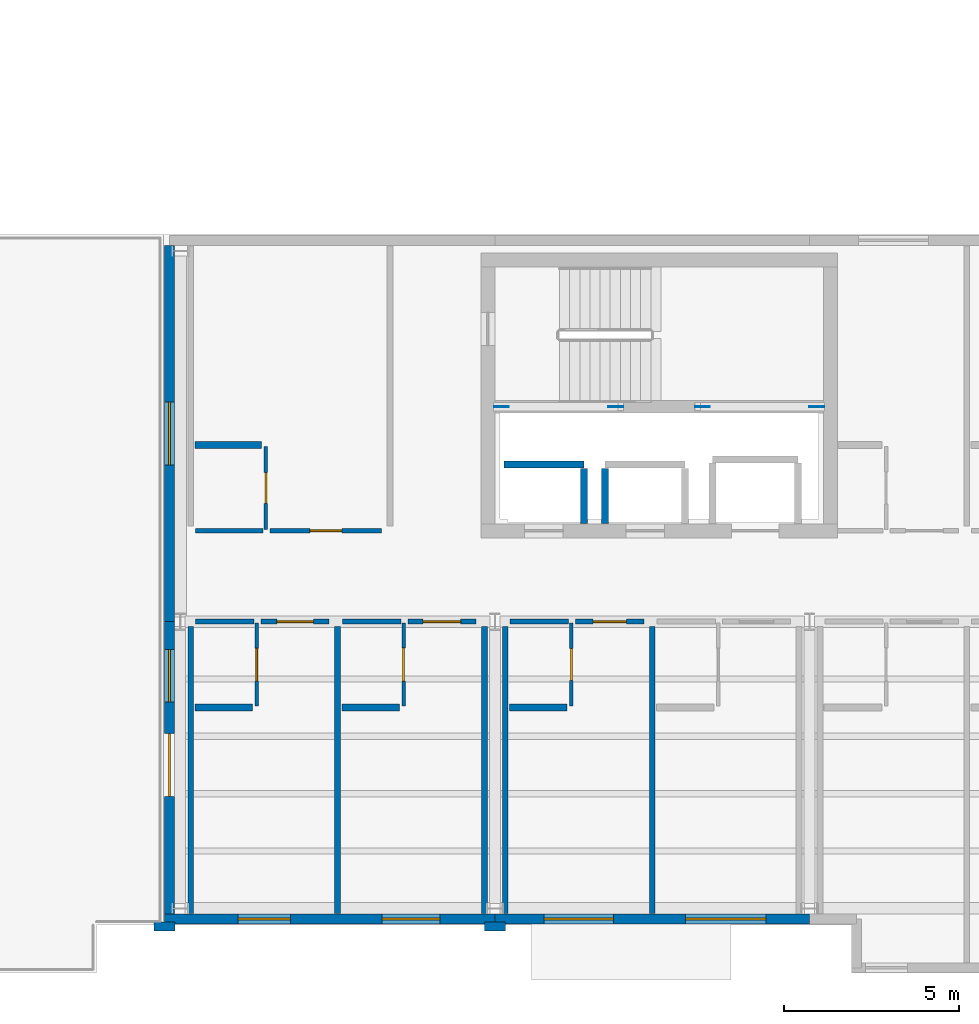
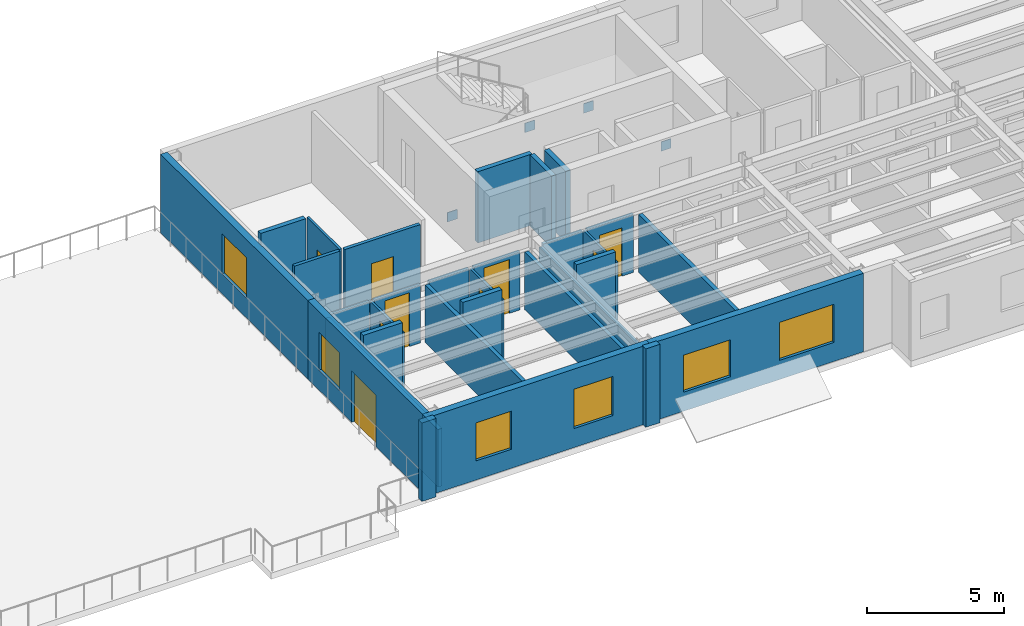
# One storey, part 5 of 17: 30 walls, 9 doors, 6 windows, 4 plates, 15 openings.
"""IFC4 building model written with IfcOpenShell, lengths in metres."""

from ifc_helpers import new_model, si_unit, direction, frame, frame_2d, origin, origin_2d, place, context, subcontext, project, spatial, rectangle, extrude, material, layer, layer_set, type_object, element, fill, save


model = new_model("IFC4")

# Units and contexts
model_context = context("Model", 3, precision=1e-05, world=origin(), true_north=direction((0.0, 1.0)))
body_context = subcontext(model_context, "Body", "Model", "MODEL_VIEW")
ifc_project = project(units=[si_unit("LENGTHUNIT", "METRE"), si_unit("AREAUNIT", "SQUARE_METRE"), si_unit("VOLUMEUNIT", "CUBIC_METRE"), si_unit("PLANEANGLEUNIT", "RADIAN"), si_unit("MASSUNIT", "GRAM", prefix="KILO")], contexts=[model_context])

# Site, building, storey
site_placement = place(None, origin())
site = spatial("IfcSite", under=ifc_project, at=site_placement, CompositionType="ELEMENT")
building_placement = place(site_placement, origin())
building = spatial("IfcBuilding", under=site, at=building_placement, Name="Sollismere Congress Hotel", CompositionType="ELEMENT")
storey_placement = place(building_placement, frame((0.0, 0.0, 41.10009765625)))
storey = spatial("IfcBuildingStorey", under=building, at=storey_placement, Name="L10", CompositionType="ELEMENT", Elevation=41.10009765625)

# Plates
ifc_material_1 = material(Name="Steel ASTM A572 Grade 50", Category="steel")
ifc_layer_1 = layer(ifc_material_1, 0.02490234375, Name="Steel ASTM A572 Grade 50")
ifc_layer_set_1 = layer_set([ifc_layer_1], Name="Steel ASTM A572 Grade 50")
plate_type = type_object("IfcPlateType", Name="PL-GS25", PredefinedType="USERDEFINED", material=ifc_layer_set_1)
for number, where, z_axis, x_axis, name in (
    (1, (94.18994140625, 14.35009765625, -0.030029296875), (0.0, 0.0, 1.0), (1.0, 0.0, 0.0), "PLT-GBF-BF-021-A"),
    (2, (97.4599609375, 14.35009765625, 2.81494140625), (0.0, 0.0, 1.0), (1.0, 0.0, 0.0), "PLT-GBF-BF-021-B"),
    (3, (103.2099609375, 14.35009765625, -0.030029296875), (0.0, 0.0, 1.0), (1.0, 0.0, 0.0), "PLT-GBF-BF-022-A"),
    (4, (99.93994140625, 14.35009765625, 2.81494140625), (0.0, 0.0, 1.0), (1.0, 0.0, 0.0), "PLT-GBF-BF-022-B"),
):
    element("IfcPlate", number, at=place(storey_placement, frame(where, z_axis=z_axis, x_axis=x_axis)), inside=storey, type_object=plate_type, Name=name, ObjectType="GUSSET PLATE", PredefinedType="USERDEFINED", context=body_context, shape_type="SweptSolid", body=[
        extrude(rectangle(XDim=0.419921875, YDim=0.02490234375, at=origin_2d()), origin(), (0.0, 0.0, 1.0), 0.419921875),
    ])

# Wall, openings, windows
ifc_material_2 = material(Name="Colorado Buff Sandstone Rainscreen on Insulated Backup", Category="masonry")
ifc_layer_2 = layer(ifc_material_2, 0.284912109375, Name="Colorado Buff Sandstone Rainscreen on Insulated Backup")
ifc_layer_set_2 = layer_set([ifc_layer_2], Name="Colorado Buff Sandstone Rainscreen on Insulated Backup")
wall_type_1 = type_object("IfcWallType", Name="WL-EXT285", PredefinedType="STANDARD", material=ifc_layer_set_2)
wall_1_placement = place(storey_placement, frame((84.550048828125, -0.31005859375, 0.0), z_axis=(0.0, 0.0, 1.0), x_axis=(1.0, 0.0, 0.0)))
wall_1 = element("IfcWall", 5, at=wall_1_placement, inside=storey, type_object=wall_type_1, Name="Exterior wall EW-L10-941", PredefinedType="STANDARD", context=body_context, shape_type="SweptSolid", body=[
    extrude(rectangle(XDim=9.449951171875, YDim=0.284912109375, at=frame_2d((4.72509765625, 0.0))), origin(), (0.0, 0.0, 1.0), 3.5),
])
opening_1_placement = place(wall_1_placement, frame((2.10009765625, 0.0, 0.85009765625)))
opening_1 = element("IfcOpeningElement", 6, at=opening_1_placement, cuts=wall_1, Name="Opening W-L10-674", PredefinedType="OPENING", context=body_context, shape_type="SweptSolid", body=[
    extrude(rectangle(XDim=1.5, YDim=1.699951171875, at=frame_2d((0.75, 0.85009765625))), frame((0.0, 0.15234375, 0.0), z_axis=(0.0, -1.0, 0.0), x_axis=(1.0, 0.0, 0.0)), (0.0, 0.0, 1.0), 0.304931640625),
])
opening_2_placement = place(wall_1_placement, frame((6.22509765625, 0.0, 0.85009765625)))
opening_2 = element("IfcOpeningElement", 7, at=opening_2_placement, cuts=wall_1, Name="Opening W-L10-675", PredefinedType="OPENING", context=body_context, shape_type="SweptSolid", body=[
    extrude(rectangle(XDim=1.64990234375, YDim=1.75, at=frame_2d((0.824951171875, 0.875))), frame((0.0, 0.15234375, 0.0), z_axis=(0.0, -1.0, 0.0), x_axis=(1.0, 0.0, 0.0)), (0.0, 0.0, 1.0), 0.304931640625),
])
ifc_material_3 = material(Name="Thermally Broken Bronze Aluminum & Low-E Glass", Category="aluminium")
window_type_1 = type_object("IfcWindowType", Name="WN-P150x170", PartitioningType="SINGLE_PANEL", PredefinedType="WINDOW", material=ifc_material_3)
window_1_placement = place(opening_1_placement, origin())
window_1 = element("IfcWindow", 8, at=window_1_placement, inside=storey, type_object=window_type_1, Name="WIN-W-L10-674", OverallHeight=1.699951171875, OverallWidth=1.5, PartitioningType="SINGLE_PANEL", PredefinedType="WINDOW", context=body_context, shape_type="SweptSolid", body=[
    extrude(rectangle(XDim=1.5, YDim=1.699951171875, at=frame_2d((0.75, 0.85009765625))), frame((0.0, 0.030029296875, 0.0), z_axis=(0.0, -1.0, 0.0), x_axis=(1.0, 0.0, 0.0)), (0.0, 0.0, 1.0), 0.06005859375),
])
fill(opening_1, window_1)
window_type_2 = type_object("IfcWindowType", Name="WN-P165x175", PartitioningType="SINGLE_PANEL", PredefinedType="WINDOW", material=ifc_material_3)
window_2_placement = place(opening_2_placement, origin())
window_2 = element("IfcWindow", 9, at=window_2_placement, inside=storey, type_object=window_type_2, Name="WIN-W-L10-675", OverallHeight=1.75, OverallWidth=1.64990234375, PartitioningType="SINGLE_PANEL", PredefinedType="WINDOW", context=body_context, shape_type="SweptSolid", body=[
    extrude(rectangle(XDim=1.64990234375, YDim=1.75, at=frame_2d((0.824951171875, 0.875))), frame((0.0, 0.030029296875, 0.0), z_axis=(0.0, -1.0, 0.0), x_axis=(1.0, 0.0, 0.0)), (0.0, 0.0, 1.0), 0.06005859375),
])
fill(opening_2, window_2)

wall_2_placement = place(storey_placement, frame((94.0, -0.31005859375, 0.0), z_axis=(0.0, 0.0, 1.0), x_axis=(1.0, 0.0, 0.0)))
wall_2 = element("IfcWall", 10, at=wall_2_placement, inside=storey, type_object=wall_type_1, Name="Exterior wall EW-L10-943", PredefinedType="STANDARD", context=body_context, shape_type="SweptSolid", body=[
    extrude(rectangle(XDim=9.0, YDim=0.284912109375, at=frame_2d((4.5, 0.0))), origin(), (0.0, 0.0, 1.0), 3.5),
])
opening_3_placement = place(wall_2_placement, frame((1.39990234375, 0.0, 0.85009765625)))
opening_3 = element("IfcOpeningElement", 11, at=opening_3_placement, cuts=wall_2, Name="Opening W-L10-676", PredefinedType="OPENING", context=body_context, shape_type="SweptSolid", body=[
    extrude(rectangle(XDim=2.0, YDim=1.64990234375, at=frame_2d((1.0, 0.824951171875))), frame((0.0, 0.15234375, 0.0), z_axis=(0.0, -1.0, 0.0), x_axis=(1.0, 0.0, 0.0)), (0.0, 0.0, 1.0), 0.304931640625),
])
opening_4_placement = place(wall_2_placement, frame((5.449951171875, 0.0, 0.85009765625)))
opening_4 = element("IfcOpeningElement", 12, at=opening_4_placement, cuts=wall_2, Name="Opening W-L10-677", PredefinedType="OPENING", context=body_context, shape_type="SweptSolid", body=[
    extrude(rectangle(XDim=2.300048828125, YDim=1.699951171875, at=frame_2d((1.14990234375, 0.85009765625))), frame((0.0, 0.15234375, 0.0), z_axis=(0.0, -1.0, 0.0), x_axis=(1.0, 0.0, 0.0)), (0.0, 0.0, 1.0), 0.304931640625),
])
window_type_3 = type_object("IfcWindowType", Name="WN-P200x165", PartitioningType="SINGLE_PANEL", PredefinedType="WINDOW", material=ifc_material_3)
window_3_placement = place(opening_3_placement, origin())
window_3 = element("IfcWindow", 13, at=window_3_placement, inside=storey, type_object=window_type_3, Name="WIN-W-L10-676", OverallHeight=1.64990234375, OverallWidth=2.0, PartitioningType="SINGLE_PANEL", PredefinedType="WINDOW", context=body_context, shape_type="SweptSolid", body=[
    extrude(rectangle(XDim=2.0, YDim=1.64990234375, at=frame_2d((1.0, 0.824951171875))), frame((0.0, 0.030029296875, 0.0), z_axis=(0.0, -1.0, 0.0), x_axis=(1.0, 0.0, 0.0)), (0.0, 0.0, 1.0), 0.06005859375),
])
fill(opening_3, window_3)
window_type_4 = type_object("IfcWindowType", Name="WN-P230x170", PartitioningType="SINGLE_PANEL", PredefinedType="WINDOW", material=ifc_material_3)
window_4_placement = place(opening_4_placement, origin())
window_4 = element("IfcWindow", 14, at=window_4_placement, inside=storey, type_object=window_type_4, Name="WIN-W-L10-677", OverallHeight=1.699951171875, OverallWidth=2.300048828125, PartitioningType="SINGLE_PANEL", PredefinedType="WINDOW", context=body_context, shape_type="SweptSolid", body=[
    extrude(rectangle(XDim=2.300048828125, YDim=1.699951171875, at=frame_2d((1.14990234375, 0.85009765625))), frame((0.0, 0.030029296875, 0.0), z_axis=(0.0, -1.0, 0.0), x_axis=(1.0, 0.0, 0.0)), (0.0, 0.0, 1.0), 0.06005859375),
])
fill(opening_4, window_4)

# Wall, openings, door, window
wall_3_placement = place(storey_placement, frame((84.68994140625, 8.199951171875, 0.0), z_axis=(0.0, 0.0, 1.0), x_axis=(0.0, -1.0, 0.0)))
wall_3 = element("IfcWall", 15, at=wall_3_placement, inside=storey, type_object=wall_type_1, Name="Exterior wall EW-L10-994", PredefinedType="STANDARD", context=body_context, shape_type="SweptSolid", body=[
    extrude(rectangle(XDim=8.365478515625, YDim=0.284912109375, at=frame_2d((4.1826171875, 0.0))), origin(), (0.0, 0.0, 1.0), 3.5),
])
opening_5_placement = place(wall_3_placement, frame((3.199951171875, 0.0, 0.0)))
opening_5 = element("IfcOpeningElement", 16, at=opening_5_placement, cuts=wall_3, Name="Opening D-L10-TRS", PredefinedType="OPENING", context=body_context, shape_type="SweptSolid", body=[
    extrude(rectangle(XDim=1.800048828125, YDim=2.300048828125, at=frame_2d((0.89990234375, 1.14990234375))), frame((0.0, 0.15234375, 0.0), z_axis=(0.0, -1.0, 0.0), x_axis=(1.0, 0.0, 0.0)), (0.0, 0.0, 1.0), 0.304931640625),
])
opening_6_placement = place(wall_3_placement, frame((0.800048828125, 0.0, 0.8798828125)))
opening_6 = element("IfcOpeningElement", 17, at=opening_6_placement, cuts=wall_3, Name="Opening W-L10-708", PredefinedType="OPENING", context=body_context, shape_type="SweptSolid", body=[
    extrude(rectangle(XDim=1.5, YDim=1.699951171875, at=frame_2d((0.75, 0.85009765625))), frame((0.0, 0.15234375, 0.0), z_axis=(0.0, -1.0, 0.0), x_axis=(1.0, 0.0, 0.0)), (0.0, 0.0, 1.0), 0.304931640625),
])
ifc_material_4 = material(Name="Thermally Broken Bronze-Anodized Aluminum & Laminated Glass", Category="aluminium")
door_type_1 = type_object("IfcDoorType", Name="DR-EX180", OperationType="DOUBLE_DOOR_SINGLE_SWING", PredefinedType="DOOR", material=ifc_material_4)
door_1_placement = place(opening_5_placement, frame((1.800048828125, 0.0, 0.0), z_axis=(0.0, 0.0, 1.0), x_axis=(-1.0, 0.0, 0.0)))
door_1 = element("IfcDoor", 18, at=door_1_placement, inside=storey, type_object=door_type_1, Name="DOR-D-L10-TRS", OperationType="DOUBLE_DOOR_SINGLE_SWING", OverallHeight=2.300048828125, OverallWidth=1.800048828125, PredefinedType="DOOR", context=body_context, shape_type="SweptSolid", body=[
    extrude(rectangle(XDim=1.800048828125, YDim=2.300048828125, at=frame_2d((0.89990234375, 1.14990234375))), frame((0.0, 0.02490234375, 0.0), z_axis=(0.0, -1.0, 0.0), x_axis=(1.0, 0.0, 0.0)), (0.0, 0.0, 1.0), 0.050048828125),
])
fill(opening_5, door_1)
window_5_placement = place(opening_6_placement, origin())
window_5 = element("IfcWindow", 19, at=window_5_placement, inside=storey, type_object=window_type_1, Name="WIN-W-L10-708", OverallHeight=1.699951171875, OverallWidth=1.5, PartitioningType="SINGLE_PANEL", PredefinedType="WINDOW", context=body_context, shape_type="SweptSolid", body=[
    extrude(rectangle(XDim=1.5, YDim=1.699951171875, at=frame_2d((0.75, 0.85009765625))), frame((0.0, 0.030029296875, 0.0), z_axis=(0.0, -1.0, 0.0), x_axis=(1.0, 0.0, 0.0)), (0.0, 0.0, 1.0), 0.06005859375),
])
fill(opening_6, window_5)

# Wall, opening, window
wall_4_placement = place(storey_placement, frame((84.68994140625, 18.965576171875, 0.0), z_axis=(0.0, 0.0, 1.0), x_axis=(0.0, -1.0, 0.0)))
wall_4 = element("IfcWall", 20, at=wall_4_placement, inside=storey, type_object=wall_type_1, Name="Exterior wall EW-L10-995", PredefinedType="STANDARD", context=body_context, shape_type="SweptSolid", body=[
    extrude(rectangle(XDim=10.765625, YDim=0.284912109375, at=frame_2d((5.3828125, 0.0))), origin(), (0.0, 0.0, 1.0), 3.5),
])
opening_7_placement = place(wall_4_placement, frame((4.482666015625, 0.0, 0.8798828125)))
opening_7 = element("IfcOpeningElement", 21, at=opening_7_placement, cuts=wall_4, Name="Opening W-L10-709", PredefinedType="OPENING", context=body_context, shape_type="SweptSolid", body=[
    extrude(rectangle(XDim=1.800048828125, YDim=1.800048828125, at=frame_2d((0.89990234375, 0.89990234375))), frame((0.0, 0.15234375, 0.0), z_axis=(0.0, -1.0, 0.0), x_axis=(1.0, 0.0, 0.0)), (0.0, 0.0, 1.0), 0.304931640625),
])
window_type_5 = type_object("IfcWindowType", Name="WN-P180x180", PartitioningType="SINGLE_PANEL", PredefinedType="WINDOW", material=ifc_material_3)
window_6_placement = place(opening_7_placement, origin())
window_6 = element("IfcWindow", 22, at=window_6_placement, inside=storey, type_object=window_type_5, Name="WIN-W-L10-709", OverallHeight=1.800048828125, OverallWidth=1.800048828125, PartitioningType="SINGLE_PANEL", PredefinedType="WINDOW", context=body_context, shape_type="SweptSolid", body=[
    extrude(rectangle(XDim=1.800048828125, YDim=1.800048828125, at=frame_2d((0.89990234375, 0.89990234375))), frame((0.0, 0.030029296875, 0.0), z_axis=(0.0, -1.0, 0.0), x_axis=(1.0, 0.0, 0.0)), (0.0, 0.0, 1.0), 0.06005859375),
])
fill(opening_7, window_6)

# Walls
ifc_material_5 = material(Name="Carved Travertine Pilaster & Frieze Assembly", Category="masonry")
ifc_layer_3 = layer(ifc_material_5, 0.260009765625, Name="Carved Travertine Pilaster & Frieze Assembly")
ifc_layer_set_3 = layer_set([ifc_layer_3], Name="Carved Travertine Pilaster & Frieze Assembly")
wall_type_2 = type_object("IfcWallType", Name="WL-PIL280", PredefinedType="ELEMENTEDWALL", material=ifc_layer_set_3)
for number, where, z_axis, x_axis, name in (
    (23, (84.25, -0.52001953125, 0.0), (0.0, 0.0, 1.0), (1.0, 0.0, 0.0), "Exterior wall EW-L10-942"),
    (24, (93.699951171875, -0.52001953125, 0.0), (0.0, 0.0, 1.0), (1.0, 0.0, 0.0), "Exterior wall EW-L10-944"),
):
    element("IfcWall", number, at=place(storey_placement, frame(where, z_axis=z_axis, x_axis=x_axis)), inside=storey, type_object=wall_type_2, Name=name, PredefinedType="ELEMENTEDWALL", context=body_context, shape_type="SweptSolid", body=[
        extrude(rectangle(XDim=0.60009765625, YDim=0.260009765625, at=frame_2d((0.300048828125, 0.0))), origin(), (0.0, 0.0, 1.0), 3.5),
    ])
ifc_material_6 = material(Name="Moisture-Resistant Shaft Gypsum Assembly")
ifc_layer_4 = layer(ifc_material_6, 0.199951171875, Name="Moisture-Resistant Shaft Gypsum Assembly")
ifc_layer_set_4 = layer_set([ifc_layer_4], Name="Moisture-Resistant Shaft Gypsum Assembly")
wall_type_3 = type_object("IfcWallType", Name="WL-PLM200", PredefinedType="PLUMBINGWALL", material=ifc_layer_set_4)
wall_5_placement = place(storey_placement, frame((94.2548828125, 12.68994140625, 0.0), z_axis=(0.0, 0.0, 1.0), x_axis=(1.0, 0.0, 0.0)))
element("IfcWall", 25, at=wall_5_placement, inside=storey, type_object=wall_type_3, Name="Interior wall IW-L10-0357", PredefinedType="PLUMBINGWALL", context=body_context, shape_type="SweptSolid", body=[
    extrude(rectangle(XDim=2.2900390625, YDim=0.199951171875, at=frame_2d((1.14501953125, 0.0))), origin(), (0.0, 0.0, 1.0), 3.179931640625),
])
for number, where, z_axis, x_axis, name in (
    (26, (96.544921875, 11.011962890625, 0.0), (0.0, 0.0, 1.0), (0.0, 1.0, 0.0), "Interior wall IW-L10-0358"),
    (27, (97.155029296875, 11.011962890625, 0.0), (0.0, 0.0, 1.0), (0.0, 1.0, 0.0), "Interior wall IW-L10-0360"),
):
    element("IfcWall", number, at=place(storey_placement, frame(where, z_axis=z_axis, x_axis=x_axis)), inside=storey, type_object=wall_type_3, Name=name, PredefinedType="PLUMBINGWALL", context=body_context, shape_type="SweptSolid", body=[
        extrude(rectangle(XDim=1.56591796875, YDim=0.199951171875, at=frame_2d((0.782958984375, 0.0))), origin(), (0.0, 0.0, 1.0), 3.179931640625),
    ])
wall_6_placement = place(storey_placement, frame((85.419921875, 5.75, 0.0), z_axis=(0.0, 0.0, 1.0), x_axis=(1.0, 0.0, 0.0)))
element("IfcWall", 28, at=wall_6_placement, inside=storey, type_object=wall_type_3, Name="Interior wall IW-L10-2734", PredefinedType="PLUMBINGWALL", context=body_context, shape_type="SweptSolid", body=[
    extrude(rectangle(XDim=1.650146484375, YDim=0.199951171875, at=frame_2d((0.8251953125, 0.0))), origin(), (0.0, 0.0, 1.0), 3.179931640625),
])
wall_7_placement = place(storey_placement, frame((89.6201171875, 5.75, 0.0), z_axis=(0.0, 0.0, 1.0), x_axis=(1.0, 0.0, 0.0)))
element("IfcWall", 29, at=wall_7_placement, inside=storey, type_object=wall_type_3, Name="Interior wall IW-L10-2739", PredefinedType="PLUMBINGWALL", context=body_context, shape_type="SweptSolid", body=[
    extrude(rectangle(XDim=1.64990234375, YDim=0.199951171875, at=frame_2d((0.824951171875, 0.0))), origin(), (0.0, 0.0, 1.0), 3.179931640625),
])
wall_8_placement = place(storey_placement, frame((85.419921875, 13.25, 0.0), z_axis=(0.0, 0.0, 1.0), x_axis=(1.0, 0.0, 0.0)))
element("IfcWall", 30, at=wall_8_placement, inside=storey, type_object=wall_type_3, Name="Interior wall IW-L10-2745", PredefinedType="PLUMBINGWALL", context=body_context, shape_type="SweptSolid", body=[
    extrude(rectangle(XDim=1.91015625, YDim=0.199951171875, at=frame_2d((0.955078125, 0.0))), origin(), (0.0, 0.0, 1.0), 3.179931640625),
])
wall_9_placement = place(storey_placement, frame((94.419921875, 5.75, 0.0), z_axis=(0.0, 0.0, 1.0), x_axis=(1.0, 0.0, 0.0)))
element("IfcWall", 31, at=wall_9_placement, inside=storey, type_object=wall_type_3, Name="Interior wall IW-L10-2751", PredefinedType="PLUMBINGWALL", context=body_context, shape_type="SweptSolid", body=[
    extrude(rectangle(XDim=1.650146484375, YDim=0.199951171875, at=frame_2d((0.8251953125, 0.0))), origin(), (0.0, 0.0, 1.0), 3.179931640625),
])

# Wall, opening, door
ifc_material_7 = material(Name="Moisture-Resistant Gypsum Partition")
ifc_layer_5 = layer(ifc_material_7, 0.10009765625, Name="Moisture-Resistant Gypsum Partition")
ifc_layer_set_5 = layer_set([ifc_layer_5], Name="Moisture-Resistant Gypsum Partition")
wall_type_4 = type_object("IfcWallType", Name="WL-PRT100", PredefinedType="PARTITIONING", material=ifc_layer_set_5)
wall_10_placement = place(storey_placement, frame((87.18994140625, 5.7900390625, 0.0), z_axis=(0.0, 0.0, 1.0), x_axis=(0.0, 1.0, 0.0)))
wall_10 = element("IfcWall", 32, at=wall_10_placement, inside=storey, type_object=wall_type_4, Name="Interior wall IW-L10-2733", PredefinedType="PARTITIONING", context=body_context, shape_type="SweptSolid", body=[
    extrude(rectangle(XDim=2.369873046875, YDim=0.10009765625, at=frame_2d((1.18505859375, 0.0))), origin(), (0.0, 0.0, 1.0), 2.593017578125),
])
opening_8_placement = place(wall_10_placement, frame((0.719970703125, 0.0, 0.0)))
opening_8 = element("IfcOpeningElement", 33, at=opening_8_placement, cuts=wall_10, Name="Opening D-L10-0965", PredefinedType="OPENING", context=body_context, shape_type="SweptSolid", body=[
    extrude(rectangle(XDim=0.929931640625, YDim=2.139892578125, at=frame_2d((0.46484375, 1.06982421875))), frame((0.0, 0.06005859375, 0.0), z_axis=(0.0, -1.0, 0.0), x_axis=(1.0, 0.0, 0.0)), (0.0, 0.0, 1.0), 0.1201171875),
])
ifc_material_8 = material(Name="Moisture-Sealed Timber Bathroom Door", Category="wood")
door_type_2 = type_object("IfcDoorType", Name="DR-BT03", OperationType="NOTDEFINED", PredefinedType="DOOR", material=ifc_material_8)
door_2_placement = place(opening_8_placement, origin())
door_2 = element("IfcDoor", 34, at=door_2_placement, inside=storey, type_object=door_type_2, Name="En-suite bathroom door D-L10-0965", OperationType="SINGLE_SWING_RIGHT", OverallHeight=2.139892578125, OverallWidth=0.929931640625, PredefinedType="DOOR", context=body_context, shape_type="SweptSolid", body=[
    extrude(rectangle(XDim=0.929931640625, YDim=2.139892578125, at=frame_2d((0.46484375, 1.06982421875))), frame((0.0, 0.02490234375, 0.0), z_axis=(0.0, -1.0, 0.0), x_axis=(1.0, 0.0, 0.0)), (0.0, 0.0, 1.0), 0.050048828125),
])
fill(opening_8, door_2)

wall_11_placement = place(storey_placement, frame((91.389892578125, 5.7900390625, 0.0), z_axis=(0.0, 0.0, 1.0), x_axis=(0.0, 1.0, 0.0)))
wall_11 = element("IfcWall", 35, at=wall_11_placement, inside=storey, type_object=wall_type_4, Name="Interior wall IW-L10-2738", PredefinedType="PARTITIONING", context=body_context, shape_type="SweptSolid", body=[
    extrude(rectangle(XDim=2.369873046875, YDim=0.10009765625, at=frame_2d((1.18505859375, 0.0))), origin(), (0.0, 0.0, 1.0), 2.593017578125),
])
opening_9_placement = place(wall_11_placement, frame((0.7080078125, 0.0, 0.0)))
opening_9 = element("IfcOpeningElement", 36, at=opening_9_placement, cuts=wall_11, Name="Opening D-L10-0967", PredefinedType="OPENING", context=body_context, shape_type="SweptSolid", body=[
    extrude(rectangle(XDim=0.955078125, YDim=2.139892578125, at=frame_2d((0.4775390625, 1.06982421875))), frame((0.0, 0.06005859375, 0.0), z_axis=(0.0, -1.0, 0.0), x_axis=(1.0, 0.0, 0.0)), (0.0, 0.0, 1.0), 0.1201171875),
])
door_type_3 = type_object("IfcDoorType", Name="DR-BT04", OperationType="NOTDEFINED", PredefinedType="DOOR", material=ifc_material_8)
door_3_placement = place(opening_9_placement, origin())
door_3 = element("IfcDoor", 37, at=door_3_placement, inside=storey, type_object=door_type_3, Name="En-suite bathroom door D-L10-0967", OperationType="SINGLE_SWING_RIGHT", OverallHeight=2.139892578125, OverallWidth=0.955078125, PredefinedType="DOOR", context=body_context, shape_type="SweptSolid", body=[
    extrude(rectangle(XDim=0.955078125, YDim=2.139892578125, at=frame_2d((0.4775390625, 1.06982421875))), frame((0.0, 0.02490234375, 0.0), z_axis=(0.0, -1.0, 0.0), x_axis=(1.0, 0.0, 0.0)), (0.0, 0.0, 1.0), 0.050048828125),
])
fill(opening_9, door_3)

wall_12_placement = place(storey_placement, frame((87.449951171875, 10.840087890625, 0.0), z_axis=(0.0, 0.0, 1.0), x_axis=(0.0, 1.0, 0.0)))
wall_12 = element("IfcWall", 38, at=wall_12_placement, inside=storey, type_object=wall_type_4, Name="Interior wall IW-L10-2744", PredefinedType="PARTITIONING", context=body_context, shape_type="SweptSolid", body=[
    extrude(rectangle(XDim=2.369873046875, YDim=0.10009765625, at=frame_2d((1.18505859375, 0.0))), origin(), (0.0, 0.0, 1.0), 3.179931640625),
])
opening_10_placement = place(wall_12_placement, frame((0.7451171875, 0.0, 0.0)))
opening_10 = element("IfcOpeningElement", 39, at=opening_10_placement, cuts=wall_12, Name="Opening D-L10-0969", PredefinedType="OPENING", context=body_context, shape_type="SweptSolid", body=[
    extrude(rectangle(XDim=0.8798828125, YDim=2.179931640625, at=frame_2d((0.43994140625, 1.08984375))), frame((0.0, 0.06005859375, 0.0), z_axis=(0.0, -1.0, 0.0), x_axis=(1.0, 0.0, 0.0)), (0.0, 0.0, 1.0), 0.1201171875),
])
door_type_4 = type_object("IfcDoorType", Name="DR-BT05", OperationType="NOTDEFINED", PredefinedType="DOOR", material=ifc_material_8)
door_4_placement = place(opening_10_placement, origin())
door_4 = element("IfcDoor", 40, at=door_4_placement, inside=storey, type_object=door_type_4, Name="En-suite bathroom door D-L10-0969", OperationType="SINGLE_SWING_RIGHT", OverallHeight=2.179931640625, OverallWidth=0.8798828125, PredefinedType="DOOR", context=body_context, shape_type="SweptSolid", body=[
    extrude(rectangle(XDim=0.8798828125, YDim=2.179931640625, at=frame_2d((0.43994140625, 1.08984375))), frame((0.0, 0.02490234375, 0.0), z_axis=(0.0, -1.0, 0.0), x_axis=(1.0, 0.0, 0.0)), (0.0, 0.0, 1.0), 0.050048828125),
])
fill(opening_10, door_4)

wall_13_placement = place(storey_placement, frame((96.18994140625, 5.7900390625, 0.0), z_axis=(0.0, 0.0, 1.0), x_axis=(0.0, 1.0, 0.0)))
wall_13 = element("IfcWall", 41, at=wall_13_placement, inside=storey, type_object=wall_type_4, Name="Interior wall IW-L10-2750", PredefinedType="PARTITIONING", context=body_context, shape_type="SweptSolid", body=[
    extrude(rectangle(XDim=2.369873046875, YDim=0.10009765625, at=frame_2d((1.18505859375, 0.0))), origin(), (0.0, 0.0, 1.0), 2.593017578125),
])
opening_11_placement = place(wall_13_placement, frame((0.73291015625, 0.0, 0.0)))
opening_11 = element("IfcOpeningElement", 42, at=opening_11_placement, cuts=wall_13, Name="Opening D-L10-0971", PredefinedType="OPENING", context=body_context, shape_type="SweptSolid", body=[
    extrude(rectangle(XDim=0.905029296875, YDim=2.179931640625, at=frame_2d((0.45263671875, 1.08984375))), frame((0.0, 0.06005859375, 0.0), z_axis=(0.0, -1.0, 0.0), x_axis=(1.0, 0.0, 0.0)), (0.0, 0.0, 1.0), 0.1201171875),
])
door_type_5 = type_object("IfcDoorType", Name="DR-BT06", OperationType="NOTDEFINED", PredefinedType="DOOR", material=ifc_material_8)
door_5_placement = place(opening_11_placement, origin())
door_5 = element("IfcDoor", 43, at=door_5_placement, inside=storey, type_object=door_type_5, Name="En-suite bathroom door D-L10-0971", OperationType="SINGLE_SWING_RIGHT", OverallHeight=2.179931640625, OverallWidth=0.905029296875, PredefinedType="DOOR", context=body_context, shape_type="SweptSolid", body=[
    extrude(rectangle(XDim=0.905029296875, YDim=2.179931640625, at=frame_2d((0.45263671875, 1.08984375))), frame((0.0, 0.02490234375, 0.0), z_axis=(0.0, -1.0, 0.0), x_axis=(1.0, 0.0, 0.0)), (0.0, 0.0, 1.0), 0.050048828125),
])
fill(opening_11, door_5)

# Wall
ifc_material_9 = material(Name="Fire-Rated Gypsum Partition")
ifc_layer_6 = layer(ifc_material_9, 0.139892578125, Name="Fire-Rated Gypsum Partition")
ifc_layer_set_6 = layer_set([ifc_layer_6], Name="Fire-Rated Gypsum Partition")
wall_type_5 = type_object("IfcWallType", Name="WL-PRT140R", PredefinedType="PARTITIONING", material=ifc_layer_set_6)
wall_14_placement = place(storey_placement, frame((85.43994140625, 8.199951171875, 0.0), z_axis=(0.0, 0.0, 1.0), x_axis=(1.0, 0.0, 0.0)))
element("IfcWall", 44, at=wall_14_placement, inside=storey, type_object=wall_type_5, Name="Interior wall IW-L10-2729", PredefinedType="PARTITIONING", context=body_context, shape_type="SweptSolid", body=[
    extrude(rectangle(XDim=1.670166015625, YDim=0.139892578125, at=frame_2d((0.8349609375, 0.0))), origin(), (0.0, 0.0, 1.0), 2.593017578125),
])

# Wall, opening, door
wall_15_placement = place(storey_placement, frame((87.31005859375, 8.199951171875, 0.0), z_axis=(0.0, 0.0, 1.0), x_axis=(1.0, 0.0, 0.0)))
wall_15 = element("IfcWall", 45, at=wall_15_placement, inside=storey, type_object=wall_type_5, Name="Interior wall IW-L10-2730", PredefinedType="PARTITIONING", context=body_context, shape_type="SweptSolid", body=[
    extrude(rectangle(XDim=1.949951171875, YDim=0.139892578125, at=frame_2d((0.97509765625, 0.0))), origin(), (0.0, 0.0, 1.0), 2.593017578125),
])
opening_12_placement = place(wall_15_placement, frame((0.455078125, 0.0, 0.0)))
opening_12 = element("IfcOpeningElement", 46, at=opening_12_placement, cuts=wall_15, Name="Opening D-L10-0964", PredefinedType="OPENING", context=body_context, shape_type="SweptSolid", body=[
    extrude(rectangle(XDim=1.0400390625, YDim=2.39990234375, at=frame_2d((0.52001953125, 1.199951171875))), frame((0.0, 0.079833984375, 0.0), z_axis=(0.0, -1.0, 0.0), x_axis=(1.0, 0.0, 0.0)), (0.0, 0.0, 1.0), 0.159912109375),
])
ifc_material_10 = material(Name="Solid-Core Acoustic Walnut Guestroom Entry Door")
door_type_6 = type_object("IfcDoorType", Name="DR-KY11", OperationType="NOTDEFINED", PredefinedType="DOOR", material=ifc_material_10)
door_6_placement = place(opening_12_placement, origin())
door_6 = element("IfcDoor", 47, at=door_6_placement, inside=storey, type_object=door_type_6, Name="Hotel room entry door D-L10-0964", OperationType="SINGLE_SWING_LEFT", OverallHeight=2.39990234375, OverallWidth=1.0400390625, PredefinedType="DOOR", context=body_context, shape_type="SweptSolid", body=[
    extrude(rectangle(XDim=1.0400390625, YDim=2.39990234375, at=frame_2d((0.52001953125, 1.199951171875))), frame((0.0, 0.02490234375, 0.0), z_axis=(0.0, -1.0, 0.0), x_axis=(1.0, 0.0, 0.0)), (0.0, 0.0, 1.0), 0.050048828125),
])
fill(opening_12, door_6)

# Wall
wall_16_placement = place(storey_placement, frame((89.639892578125, 8.199951171875, 0.0), z_axis=(0.0, 0.0, 1.0), x_axis=(1.0, 0.0, 0.0)))
element("IfcWall", 48, at=wall_16_placement, inside=storey, type_object=wall_type_5, Name="Interior wall IW-L10-2735", PredefinedType="PARTITIONING", context=body_context, shape_type="SweptSolid", body=[
    extrude(rectangle(XDim=1.670166015625, YDim=0.139892578125, at=frame_2d((0.8349609375, 0.0))), origin(), (0.0, 0.0, 1.0), 2.593017578125),
])

# Wall, opening, door
wall_17_placement = place(storey_placement, frame((91.510009765625, 8.199951171875, 0.0), z_axis=(0.0, 0.0, 1.0), x_axis=(1.0, 0.0, 0.0)))
wall_17 = element("IfcWall", 49, at=wall_17_placement, inside=storey, type_object=wall_type_5, Name="Interior wall IW-L10-2736", PredefinedType="PARTITIONING", context=body_context, shape_type="SweptSolid", body=[
    extrude(rectangle(XDim=1.949951171875, YDim=0.139892578125, at=frame_2d((0.97509765625, 0.0))), origin(), (0.0, 0.0, 1.0), 2.593017578125),
])
opening_13_placement = place(wall_17_placement, frame((0.43994140625, 0.0, 0.0)))
opening_13 = element("IfcOpeningElement", 50, at=opening_13_placement, cuts=wall_17, Name="Opening D-L10-0966", PredefinedType="OPENING", context=body_context, shape_type="SweptSolid", body=[
    extrude(rectangle(XDim=1.070068359375, YDim=2.39990234375, at=frame_2d((0.53515625, 1.199951171875))), frame((0.0, 0.079833984375, 0.0), z_axis=(0.0, -1.0, 0.0), x_axis=(1.0, 0.0, 0.0)), (0.0, 0.0, 1.0), 0.159912109375),
])
door_type_7 = type_object("IfcDoorType", Name="DR-KY12", OperationType="NOTDEFINED", PredefinedType="DOOR", material=ifc_material_10)
door_7_placement = place(opening_13_placement, origin())
door_7 = element("IfcDoor", 51, at=door_7_placement, inside=storey, type_object=door_type_7, Name="Hotel room entry door D-L10-0966", OperationType="SINGLE_SWING_LEFT", OverallHeight=2.39990234375, OverallWidth=1.070068359375, PredefinedType="DOOR", context=body_context, shape_type="SweptSolid", body=[
    extrude(rectangle(XDim=1.070068359375, YDim=2.39990234375, at=frame_2d((0.53515625, 1.199951171875))), frame((0.0, 0.02490234375, 0.0), z_axis=(0.0, -1.0, 0.0), x_axis=(1.0, 0.0, 0.0)), (0.0, 0.0, 1.0), 0.050048828125),
])
fill(opening_13, door_7)

# Wall
wall_18_placement = place(storey_placement, frame((85.43994140625, 10.800048828125, 0.0), z_axis=(0.0, 0.0, 1.0), x_axis=(1.0, 0.0, 0.0)))
element("IfcWall", 52, at=wall_18_placement, inside=storey, type_object=wall_type_5, Name="Interior wall IW-L10-2740", PredefinedType="PARTITIONING", context=body_context, shape_type="SweptSolid", body=[
    extrude(rectangle(XDim=1.93017578125, YDim=0.139892578125, at=frame_2d((0.965087890625, 0.0))), origin(), (0.0, 0.0, 1.0), 3.179931640625),
])

# Wall, opening, door
wall_19_placement = place(storey_placement, frame((87.570068359375, 10.800048828125, 0.0), z_axis=(0.0, 0.0, 1.0), x_axis=(1.0, 0.0, 0.0)))
wall_19 = element("IfcWall", 53, at=wall_19_placement, inside=storey, type_object=wall_type_5, Name="Interior wall IW-L10-2741", PredefinedType="PARTITIONING", context=body_context, shape_type="SweptSolid", body=[
    extrude(rectangle(XDim=3.18994140625, YDim=0.139892578125, at=frame_2d((1.594970703125, 0.0))), origin(), (0.0, 0.0, 1.0), 3.179931640625),
])
opening_14_placement = place(wall_19_placement, frame((1.135009765625, 0.0, 0.0)))
opening_14 = element("IfcOpeningElement", 54, at=opening_14_placement, cuts=wall_19, Name="Opening D-L10-0968", PredefinedType="OPENING", context=body_context, shape_type="SweptSolid", body=[
    extrude(rectangle(XDim=0.919921875, YDim=2.14990234375, at=frame_2d((0.4599609375, 1.074951171875))), frame((0.0, 0.079833984375, 0.0), z_axis=(0.0, -1.0, 0.0), x_axis=(1.0, 0.0, 0.0)), (0.0, 0.0, 1.0), 0.159912109375),
])
door_type_8 = type_object("IfcDoorType", Name="DR-KY01", OperationType="NOTDEFINED", PredefinedType="DOOR", material=ifc_material_10)
door_8_placement = place(opening_14_placement, origin())
door_8 = element("IfcDoor", 55, at=door_8_placement, inside=storey, type_object=door_type_8, Name="Hotel room entry door D-L10-0968", OperationType="SINGLE_SWING_LEFT", OverallHeight=2.14990234375, OverallWidth=0.919921875, PredefinedType="DOOR", context=body_context, shape_type="SweptSolid", body=[
    extrude(rectangle(XDim=0.919921875, YDim=2.14990234375, at=frame_2d((0.4599609375, 1.074951171875))), frame((0.0, 0.02490234375, 0.0), z_axis=(0.0, -1.0, 0.0), x_axis=(1.0, 0.0, 0.0)), (0.0, 0.0, 1.0), 0.050048828125),
])
fill(opening_14, door_8)

# Wall
wall_20_placement = place(storey_placement, frame((94.43994140625, 8.199951171875, 0.0), z_axis=(0.0, 0.0, 1.0), x_axis=(1.0, 0.0, 0.0)))
element("IfcWall", 56, at=wall_20_placement, inside=storey, type_object=wall_type_5, Name="Interior wall IW-L10-2746", PredefinedType="PARTITIONING", context=body_context, shape_type="SweptSolid", body=[
    extrude(rectangle(XDim=1.670166015625, YDim=0.139892578125, at=frame_2d((0.8349609375, 0.0))), origin(), (0.0, 0.0, 1.0), 2.593017578125),
])

# Wall, opening, door
wall_21_placement = place(storey_placement, frame((96.31005859375, 8.199951171875, 0.0), z_axis=(0.0, 0.0, 1.0), x_axis=(1.0, 0.0, 0.0)))
wall_21 = element("IfcWall", 57, at=wall_21_placement, inside=storey, type_object=wall_type_5, Name="Interior wall IW-L10-2747", PredefinedType="PARTITIONING", context=body_context, shape_type="SweptSolid", body=[
    extrude(rectangle(XDim=1.949951171875, YDim=0.139892578125, at=frame_2d((0.97509765625, 0.0))), origin(), (0.0, 0.0, 1.0), 2.593017578125),
])
opening_15_placement = place(wall_21_placement, frame((0.5, 0.0, 0.0)))
opening_15 = element("IfcOpeningElement", 58, at=opening_15_placement, cuts=wall_21, Name="Opening D-L10-0970", PredefinedType="OPENING", context=body_context, shape_type="SweptSolid", body=[
    extrude(rectangle(XDim=0.949951171875, YDim=2.14990234375, at=frame_2d((0.47509765625, 1.074951171875))), frame((0.0, 0.079833984375, 0.0), z_axis=(0.0, -1.0, 0.0), x_axis=(1.0, 0.0, 0.0)), (0.0, 0.0, 1.0), 0.159912109375),
])
door_type_9 = type_object("IfcDoorType", Name="DR-KY02", OperationType="NOTDEFINED", PredefinedType="DOOR", material=ifc_material_10)
door_9_placement = place(opening_15_placement, origin())
door_9 = element("IfcDoor", 59, at=door_9_placement, inside=storey, type_object=door_type_9, Name="Hotel room entry door D-L10-0970", OperationType="SINGLE_SWING_LEFT", OverallHeight=2.14990234375, OverallWidth=0.949951171875, PredefinedType="DOOR", context=body_context, shape_type="SweptSolid", body=[
    extrude(rectangle(XDim=0.949951171875, YDim=2.14990234375, at=frame_2d((0.47509765625, 1.074951171875))), frame((0.0, 0.02490234375, 0.0), z_axis=(0.0, -1.0, 0.0), x_axis=(1.0, 0.0, 0.0)), (0.0, 0.0, 1.0), 0.050048828125),
])
fill(opening_15, door_9)

# Walls
ifc_material_11 = material(Name="Fire-Rated Acoustic Gypsum Partition")
ifc_layer_7 = layer(ifc_material_11, 0.1650390625, Name="Fire-Rated Acoustic Gypsum Partition")
ifc_layer_set_7 = layer_set([ifc_layer_7], Name="Fire-Rated Acoustic Gypsum Partition")
wall_type_6 = type_object("IfcWallType", Name="WL-PRT165R", PredefinedType="PARTITIONING", material=ifc_layer_set_7)
for number, where, z_axis, x_axis, name in (
    (60, (85.300048828125, -0.152587890625, 0.0), (0.0, 0.0, 1.0), (0.0, 1.0, 0.0), "Interior wall IW-L10-2731"),
    (61, (89.5, -0.152587890625, 0.0), (0.0, 0.0, 1.0), (0.0, 1.0, 0.0), "Interior wall IW-L10-2732"),
    (62, (93.699951171875, -0.152587890625, 0.0), (0.0, 0.0, 1.0), (0.0, 1.0, 0.0), "Interior wall IW-L10-2737"),
    (63, (94.300048828125, -0.152587890625, 0.0), (0.0, 0.0, 1.0), (0.0, 1.0, 0.0), "Interior wall IW-L10-2748"),
    (64, (98.5, -0.152587890625, 0.0), (0.0, 0.0, 1.0), (0.0, 1.0, 0.0), "Interior wall IW-L10-2749"),
):
    element("IfcWall", number, at=place(storey_placement, frame(where, z_axis=z_axis, x_axis=x_axis)), inside=storey, type_object=wall_type_6, Name=name, PredefinedType="PARTITIONING", context=body_context, shape_type="SweptSolid", body=[
        extrude(rectangle(XDim=8.212646484375, YDim=0.1650390625, at=frame_2d((4.1064453125, 0.0))), origin(), (0.0, 0.0, 1.0), 2.56982421875),
    ])

save(model, "model.ifc")
